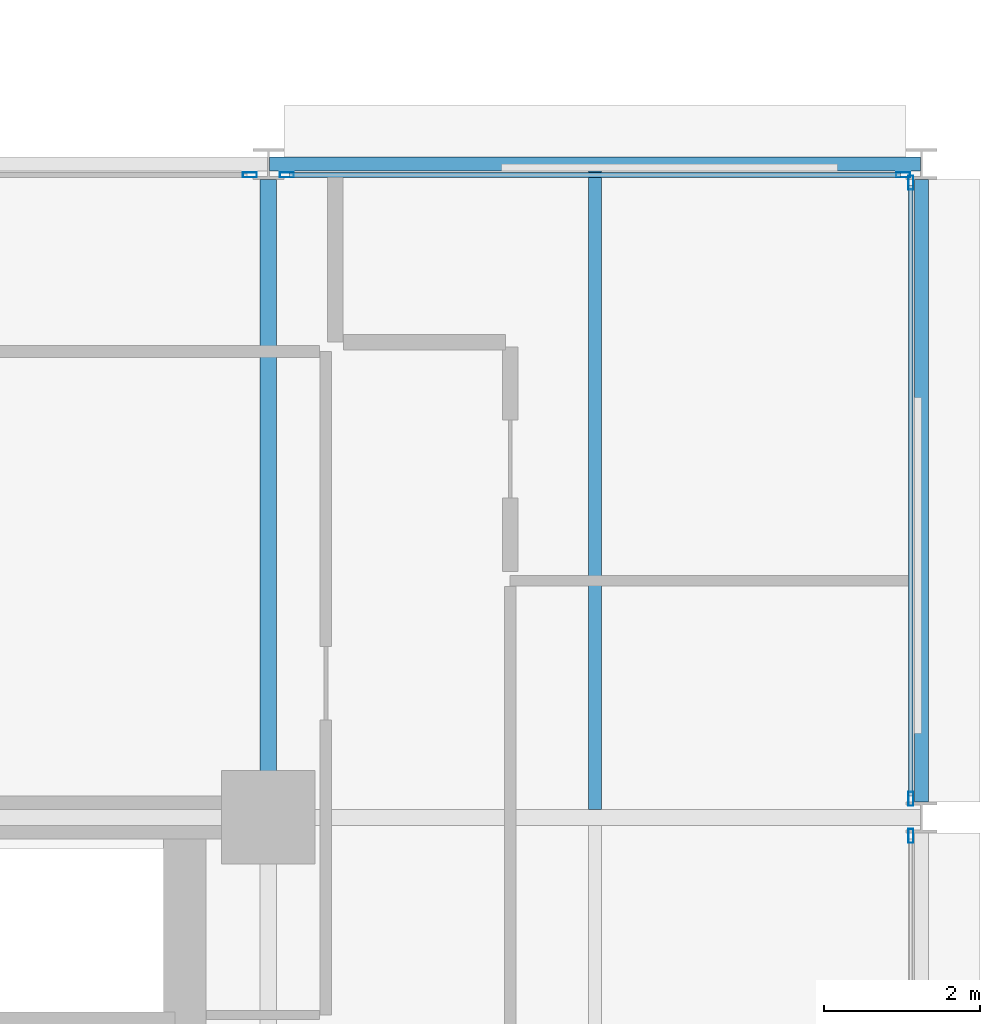
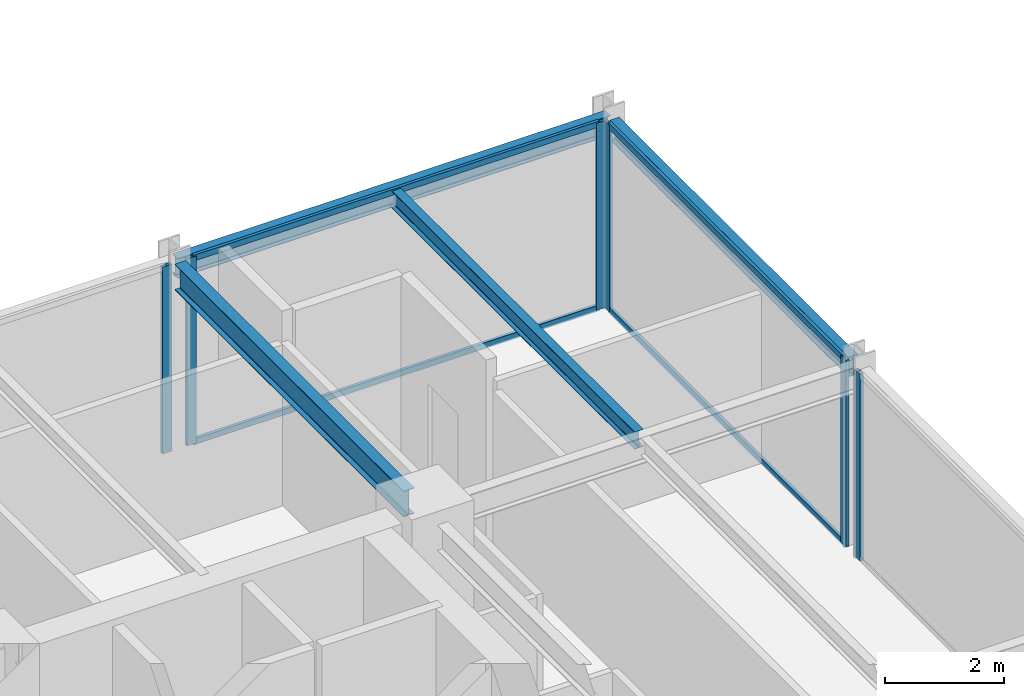
# One storey, part 15 of 30: 10 members, 4 beams, 4 elements without a shape of their own.
"""IFC4 building model written with IfcOpenShell, lengths in metres."""

from ifc_helpers import new_model, si_unit, direction, frame, origin, origin_2d, place, context, subcontext, project, spatial, hollow_rectangle, i_section, extrude, material, layer, layer_set, material_profile, profile_set, type_object, element, aggregate, save


model = new_model("IFC4")

# Units and contexts
model_context = context("Model", 3, precision=1e-05, world=origin(), true_north=direction((0.0, 1.0)))
body_context = subcontext(model_context, "Body", "Model", "MODEL_VIEW")
ifc_project = project(units=[si_unit("LENGTHUNIT", "METRE"), si_unit("AREAUNIT", "SQUARE_METRE"), si_unit("VOLUMEUNIT", "CUBIC_METRE"), si_unit("PLANEANGLEUNIT", "RADIAN"), si_unit("MASSUNIT", "GRAM", prefix="KILO")], contexts=[model_context])

# Site, building, storey
site_placement = place(None, origin())
site = spatial("IfcSite", under=ifc_project, at=site_placement, CompositionType="ELEMENT")
building_placement = place(site_placement, origin())
building = spatial("IfcBuilding", under=site, at=building_placement, Name="Nerrivon Quay Data Exchange", CompositionType="ELEMENT")
storey_placement = place(building_placement, frame((0.0, 0.0, 141.800048828125)))
storey = spatial("IfcBuildingStorey", under=building, at=storey_placement, Name="L33", CompositionType="ELEMENT", Elevation=141.800048828125)

# Beams
ifc_material_1 = material(Name="Steel Grade 350", Category="steel")
ifc_material_profile_1 = material_profile(ifc_material_1, i_section(OverallWidth=0.208984375, OverallDepth=0.528076171875, WebThickness=0.009521484375, FlangeThickness=0.01318359375, FilletRadius=0.013916015625, at=origin_2d()), Name="530UB82.0")
ifc_profile_set_1 = profile_set([ifc_material_profile_1], Name="Steel Grade 350")
beam_type_1 = type_object("IfcBeamType", Name="BM-G4-530UB82", PredefinedType="BEAM", material=ifc_profile_set_1)
beam_1_placement = place(storey_placement, frame((33.60009765625, 17.340087890625, 3.56103515625), z_axis=(0.0, 1.0, 0.0), x_axis=(-1.0, 0.0, 0.0)))
element("IfcBeam", 1, at=beam_1_placement, inside=storey, type_object=beam_type_1, Name="L33 NS Girder X=33.6 (16.8..25.2)", PredefinedType="BEAM", context=body_context, shape_type="SweptSolid", body=[
    extrude(i_section(OverallWidth=0.208984375, OverallDepth=0.528076171875, WebThickness=0.009521484375, FlangeThickness=0.01318359375, FilletRadius=0.013916015625, at=origin_2d()), origin(), (0.0, 0.0, 1.0), 7.659912109375),
])
ifc_material_profile_2 = material_profile(ifc_material_1, i_section(OverallWidth=0.1708984375, OverallDepth=0.35595703125, WebThickness=0.00732421875, FlangeThickness=0.011474609375, FilletRadius=0.011474609375, at=origin_2d()), Name="360UB50.7")
ifc_profile_set_2 = profile_set([ifc_material_profile_2], Name="Steel Grade 350")
beam_type_2 = type_object("IfcBeamType", Name="BM-J4-360UB51", PredefinedType="JOIST", material=ifc_profile_set_2)
beam_2_placement = place(storey_placement, frame((37.800048828125, 16.904541015625, 3.64697265625), z_axis=(0.0, 1.0, 0.0), x_axis=(-1.0, 0.0, 0.0)))
element("IfcBeam", 2, at=beam_2_placement, inside=storey, type_object=beam_type_2, Name="L33 Secondary Joist X=37.8 (16.8..25.2)", PredefinedType="JOIST", context=body_context, shape_type="SweptSolid", body=[
    extrude(i_section(OverallWidth=0.1708984375, OverallDepth=0.35595703125, WebThickness=0.00732421875, FlangeThickness=0.011474609375, FilletRadius=0.011474609375, at=origin_2d()), origin(), (0.0, 0.0, 1.0), 8.20654296875),
])
ifc_material_profile_3 = material_profile(ifc_material_1, i_section(OverallWidth=0.177978515625, OverallDepth=0.403076171875, WebThickness=0.007568359375, FlangeThickness=0.010986328125, FilletRadius=0.011474609375, at=origin_2d()), Name="410UB53.7")
ifc_profile_set_3 = profile_set([ifc_material_profile_3], Name="Steel Grade 350")
beam_type_3 = type_object("IfcBeamType", Name="BM-SP2-410UB54", PredefinedType="SPANDREL", material=ifc_profile_set_3)
beam_3_placement = place(storey_placement, frame((33.612548828125, 25.199951171875, 3.62353515625), z_axis=(1.0, 0.0, 0.0), x_axis=(0.0, 1.0, 0.0)))
element("IfcBeam", 3, at=beam_3_placement, inside=storey, type_object=beam_type_3, Name="L33 EW Girder Y=25.2 (33.6..42.0)", PredefinedType="SPANDREL", context=body_context, shape_type="SweptSolid", body=[
    extrude(i_section(OverallWidth=0.177978515625, OverallDepth=0.403076171875, WebThickness=0.007568359375, FlangeThickness=0.010986328125, FilletRadius=0.011474609375, at=origin_2d()), origin(), (0.0, 0.0, 1.0), 8.375),
])
beam_4_placement = place(storey_placement, frame((42.0, 17.0, 3.62353515625), z_axis=(0.0, 1.0, 0.0), x_axis=(-1.0, 0.0, 0.0)))
element("IfcBeam", 4, at=beam_4_placement, inside=storey, type_object=beam_type_3, Name="L33 NS Girder X=42.0 (16.8..25.2)", PredefinedType="SPANDREL", context=body_context, shape_type="SweptSolid", body=[
    extrude(i_section(OverallWidth=0.177978515625, OverallDepth=0.403076171875, WebThickness=0.007568359375, FlangeThickness=0.010986328125, FilletRadius=0.011474609375, at=origin_2d()), origin(), (0.0, 0.0, 1.0), 8.0),
])

# Curtain wall, member
ifc_material_2 = material(Name="Anodised aluminium 6063-T6", Category="aluminium")
ifc_layer = layer(ifc_material_2, 0.2099609375)
ifc_layer_set = layer_set([ifc_layer], Name="Anodised aluminium 6063-T6")
curtain_wall_type = type_object("IfcCurtainWallType", Name="CW-SYS-02", PredefinedType="NOTDEFINED", material=ifc_layer_set)
curtain_wall_1_placement = place(storey_placement, origin())
curtain_wall_1 = element("IfcCurtainWall", 5, at=curtain_wall_1_placement, inside=storey, type_object=curtain_wall_type, Name="L33 Unitised Curtain Wall 26", PredefinedType="NOTDEFINED")
ifc_material_profile_4 = material_profile(ifc_material_2, hollow_rectangle(XDim=0.06494140625, YDim=0.179931640625, WallThickness=0.00341796875, at=origin_2d()), Name="ALU-MULL-180x65")
ifc_profile_set_4 = profile_set([ifc_material_profile_4], Name="Anodised aluminium 6063-T6")
member_type_1 = type_object("IfcMemberType", Name="CWM-180x65", PredefinedType="MULLION", material=ifc_profile_set_4)
member_1_placement = place(storey_placement, frame((33.362548828125, 25.06005859375, 0.0), z_axis=(0.0, 0.0, 1.0), x_axis=(0.0, 1.0, 0.0)))
member_1 = element("IfcMember", 6, at=member_1_placement, type_object=member_type_1, Name="CW02 mullion 2", PredefinedType="MULLION", context=body_context, shape_type="SweptSolid", body=[
    extrude(hollow_rectangle(XDim=0.06494140625, YDim=0.179931640625, WallThickness=0.00341796875, at=origin_2d()), origin(), (0.0, 0.0, 1.0), 3.824951171875),
])
aggregate(curtain_wall_1, [member_1])

# Curtain wall, members
curtain_wall_2_placement = place(storey_placement, origin())
curtain_wall_2 = element("IfcCurtainWall", 7, at=curtain_wall_2_placement, inside=storey, type_object=curtain_wall_type, Name="L33 Unitised Curtain Wall 27", PredefinedType="NOTDEFINED")
member_2_placement = place(storey_placement, frame((33.83740234375, 25.06005859375, 0.0), z_axis=(0.0, 0.0, 1.0), x_axis=(0.0, 1.0, 0.0)))
member_2 = element("IfcMember", 8, at=member_2_placement, type_object=member_type_1, Name="CW02 mullion 1", PredefinedType="MULLION", context=body_context, shape_type="SweptSolid", body=[
    extrude(hollow_rectangle(XDim=0.06494140625, YDim=0.179931640625, WallThickness=0.00341796875, at=origin_2d()), origin(), (0.0, 0.0, 1.0), 3.824951171875),
])
member_3_placement = place(storey_placement, frame((41.762451171875, 25.06005859375, 0.0), z_axis=(0.0, 0.0, 1.0), x_axis=(0.0, 1.0, 0.0)))
member_3 = element("IfcMember", 9, at=member_3_placement, type_object=member_type_1, Name="CW02 mullion 2", PredefinedType="MULLION", context=body_context, shape_type="SweptSolid", body=[
    extrude(hollow_rectangle(XDim=0.06494140625, YDim=0.179931640625, WallThickness=0.00341796875, at=origin_2d()), origin(), (0.0, 0.0, 1.0), 3.824951171875),
])

curtain_wall_3_placement = place(storey_placement, origin())
curtain_wall_3 = element("IfcCurtainWall", 10, at=curtain_wall_3_placement, inside=storey, type_object=curtain_wall_type, Name="L33 Unitised Curtain Wall 28", PredefinedType="NOTDEFINED")
member_4_placement = place(storey_placement, frame((41.860107421875, 24.96240234375, 0.0), z_axis=(0.0, 0.0, 1.0), x_axis=(1.0, 0.0, 0.0)))
member_4 = element("IfcMember", 11, at=member_4_placement, type_object=member_type_1, Name="CW02 mullion 1", PredefinedType="MULLION", context=body_context, shape_type="SweptSolid", body=[
    extrude(hollow_rectangle(XDim=0.06494140625, YDim=0.179931640625, WallThickness=0.00341796875, at=origin_2d()), origin(), (0.0, 0.0, 1.0), 3.824951171875),
])
member_5_placement = place(storey_placement, frame((41.860107421875, 17.03759765625, 0.0), z_axis=(0.0, 0.0, 1.0), x_axis=(1.0, 0.0, 0.0)))
member_5 = element("IfcMember", 12, at=member_5_placement, type_object=member_type_1, Name="CW02 mullion 2", PredefinedType="MULLION", context=body_context, shape_type="SweptSolid", body=[
    extrude(hollow_rectangle(XDim=0.06494140625, YDim=0.179931640625, WallThickness=0.00341796875, at=origin_2d()), origin(), (0.0, 0.0, 1.0), 3.824951171875),
])

# Curtain wall, member
curtain_wall_4_placement = place(storey_placement, origin())
curtain_wall_4 = element("IfcCurtainWall", 13, at=curtain_wall_4_placement, inside=storey, type_object=curtain_wall_type, Name="L33 Unitised Curtain Wall 29", PredefinedType="NOTDEFINED")
member_6_placement = place(storey_placement, frame((41.860107421875, 16.5625, 0.0), z_axis=(0.0, 0.0, 1.0), x_axis=(1.0, 0.0, 0.0)))
member_6 = element("IfcMember", 14, at=member_6_placement, type_object=member_type_1, Name="CW02 mullion 1", PredefinedType="MULLION", context=body_context, shape_type="SweptSolid", body=[
    extrude(hollow_rectangle(XDim=0.06494140625, YDim=0.179931640625, WallThickness=0.00341796875, at=origin_2d()), origin(), (0.0, 0.0, 1.0), 3.824951171875),
])
aggregate(curtain_wall_4, [member_6])

# Member
ifc_material_profile_5 = material_profile(ifc_material_2, hollow_rectangle(XDim=0.06005859375, YDim=0.1201171875, WallThickness=0.003173828125, at=origin_2d()), Name="ALU-TRAN-120x60")
ifc_profile_set_5 = profile_set([ifc_material_profile_5], Name="Anodised aluminium 6063-T6")
member_type_2 = type_object("IfcMemberType", Name="CWT-120x60", PredefinedType="USERDEFINED", material=ifc_profile_set_5)
member_7_placement = place(storey_placement, frame((33.875, 25.06005859375, 0.032470703125), z_axis=(1.0, 0.0, 0.0), x_axis=(0.0, 1.0, 0.0)))
member_7 = element("IfcMember", 15, at=member_7_placement, type_object=member_type_2, Name="CW02 transom 1.1", ObjectType="TRANSOM", PredefinedType="USERDEFINED", context=body_context, shape_type="SweptSolid", body=[
    extrude(hollow_rectangle(XDim=0.06005859375, YDim=0.1201171875, WallThickness=0.003173828125, at=origin_2d()), origin(), (0.0, 0.0, 1.0), 7.85009765625),
])

member_8_placement = place(storey_placement, frame((33.875, 25.06005859375, 3.79248046875), z_axis=(1.0, 0.0, 0.0), x_axis=(0.0, 1.0, 0.0)))
member_8 = element("IfcMember", 16, at=member_8_placement, type_object=member_type_2, Name="CW02 transom 1.2", ObjectType="TRANSOM", PredefinedType="USERDEFINED", context=body_context, shape_type="SweptSolid", body=[
    extrude(hollow_rectangle(XDim=0.06005859375, YDim=0.1201171875, WallThickness=0.003173828125, at=origin_2d()), origin(), (0.0, 0.0, 1.0), 7.85009765625),
])

aggregate(curtain_wall_2, [member_2, member_3, member_7, member_8])

member_9_placement = place(storey_placement, frame((41.860107421875, 24.925048828125, 0.032470703125), z_axis=(0.0, -1.0, 0.0), x_axis=(1.0, 0.0, 0.0)))
member_9 = element("IfcMember", 17, at=member_9_placement, type_object=member_type_2, Name="CW02 transom 1.1", ObjectType="TRANSOM", PredefinedType="USERDEFINED", context=body_context, shape_type="SweptSolid", body=[
    extrude(hollow_rectangle(XDim=0.06005859375, YDim=0.1201171875, WallThickness=0.003173828125, at=origin_2d()), origin(), (0.0, 0.0, 1.0), 7.85009765625),
])

member_10_placement = place(storey_placement, frame((41.860107421875, 24.925048828125, 3.79248046875), z_axis=(0.0, -1.0, 0.0), x_axis=(1.0, 0.0, 0.0)))
member_10 = element("IfcMember", 18, at=member_10_placement, type_object=member_type_2, Name="CW02 transom 1.2", ObjectType="TRANSOM", PredefinedType="USERDEFINED", context=body_context, shape_type="SweptSolid", body=[
    extrude(hollow_rectangle(XDim=0.06005859375, YDim=0.1201171875, WallThickness=0.003173828125, at=origin_2d()), origin(), (0.0, 0.0, 1.0), 7.85009765625),
])

aggregate(curtain_wall_3, [member_4, member_5, member_9, member_10])

save(model, "model.ifc")
